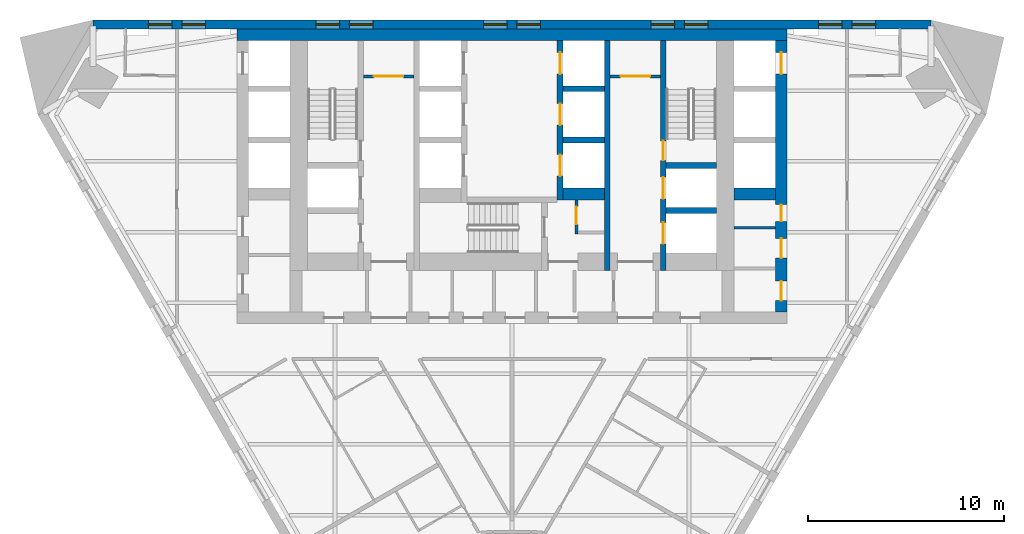
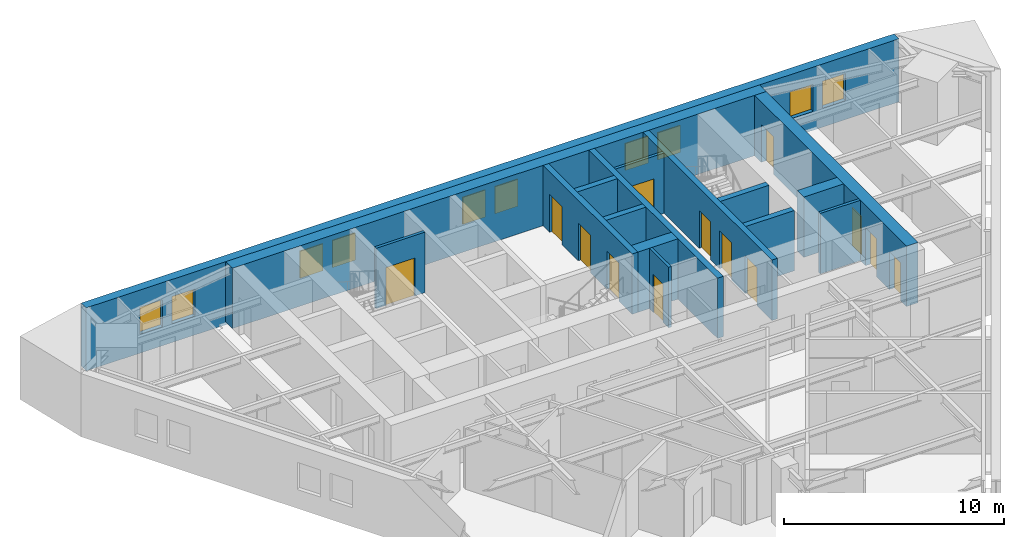
# One storey, part 6 of 9: 16 walls, 13 doors, 10 windows, 23 openings.
"""IFC4 building model written with IfcOpenShell, lengths in metres."""

from ifc_helpers import new_model, si_unit, direction, frame, frame_2d, origin, place, context, subcontext, project, spatial, polyline, rectangle, outline, extrude, material, layer, layer_set, type_object, element, fill, save


model = new_model("IFC4")

# Units and contexts
model_context = context("Model", 3, precision=1e-05, world=origin(), true_north=direction((0.0, 1.0)))
body_context = subcontext(model_context, "Body", "Model", "MODEL_VIEW")
ifc_project = project(units=[si_unit("LENGTHUNIT", "METRE"), si_unit("AREAUNIT", "SQUARE_METRE"), si_unit("VOLUMEUNIT", "CUBIC_METRE"), si_unit("PLANEANGLEUNIT", "RADIAN"), si_unit("MASSUNIT", "GRAM", prefix="KILO")], contexts=[model_context])

# Site, building, storey
site_placement = place(None, origin())
site = spatial("IfcSite", under=ifc_project, at=site_placement, CompositionType="ELEMENT")
building_placement = place(site_placement, origin())
building = spatial("IfcBuilding", under=site, at=building_placement, Name="Aloe Facet Convention Tower", CompositionType="ELEMENT")
storey_placement = place(building_placement, frame((0.0, 0.0, 106.300048828125)))
storey = spatial("IfcBuildingStorey", under=building, at=storey_placement, Name="L26", CompositionType="ELEMENT", Elevation=106.300048828125)

# Wall, opening, door
ifc_material_1 = material(Name="Concrete blockwork partition", Category="masonry")
ifc_layer_1 = layer(ifc_material_1, 0.14990234375)
ifc_layer_set_1 = layer_set([ifc_layer_1], Name="CR-W-PART150")
wall_type_1 = type_object("IfcWallType", Name="CR-W-PART150", PredefinedType="PARTITIONING", material=ifc_layer_set_1)
wall_1_placement = place(storey_placement, frame((72.449951171875, 132.125, 0.0), z_axis=(0.0, 0.0, 1.0), x_axis=(1.0, 0.0, 0.0)))
wall_1 = element("IfcWall", 1, at=wall_1_placement, inside=storey, type_object=wall_type_1, Name="Core partition L26-014", PredefinedType="PARTITIONING", context=body_context, shape_type="SweptSolid", body=[
    extrude(rectangle(XDim=2.550048828125, YDim=0.14990234375, at=frame_2d((1.27490234375, 0.0))), origin(), (0.0, 0.0, 1.0), 3.349853515625),
])
opening_1_placement = place(wall_1_placement, frame((0.52490234375, 0.0, 0.0)))
opening_1 = element("IfcOpeningElement", 2, at=opening_1_placement, cuts=wall_1, Name="Opening L26-CD22", PredefinedType="OPENING", context=body_context, shape_type="SweptSolid", body=[
    extrude(rectangle(XDim=1.5, YDim=2.10009765625, at=frame_2d((0.75, 1.050048828125))), frame((0.0, 0.0849609375, 0.0), z_axis=(0.0, -1.0, 0.0), x_axis=(1.0, 0.0, 0.0)), (0.0, 0.0, 1.0), 0.169921875),
])
ifc_material_2 = material(Name="Steel fire-resisting door set FD60", Category="steel")
door_type_1 = type_object("IfcDoorType", Name="CR-D-REFUGE-1500-FD60-DD", OperationType="DOUBLE_DOOR_DOUBLE_SWING", PredefinedType="DOOR", material=ifc_material_2)
door_1_placement = place(opening_1_placement, origin())
door_1 = element("IfcDoor", 3, at=door_1_placement, inside=storey, type_object=door_type_1, Name="Core door L26-CD22", OperationType="DOUBLE_DOOR_DOUBLE_SWING", OverallHeight=2.10009765625, OverallWidth=1.5, PredefinedType="DOOR", context=body_context, shape_type="SweptSolid", body=[
    extrude(rectangle(XDim=1.5, YDim=2.10009765625, at=frame_2d((0.75, 1.050048828125))), frame((0.0, 0.02490234375, 0.0), z_axis=(0.0, -1.0, 0.0), x_axis=(1.0, 0.0, 0.0)), (0.0, 0.0, 1.0), 0.050048828125),
])
fill(opening_1, door_1)

wall_2_placement = place(storey_placement, frame((83.27490234375, 125.85009765625, 0.0), z_axis=(0.0, 0.0, 1.0), x_axis=(0.0, -1.0, 0.0)))
wall_2 = element("IfcWall", 4, at=wall_2_placement, inside=storey, type_object=wall_type_1, Name="Core partition L26-035", PredefinedType="PARTITIONING", context=body_context, shape_type="SweptSolid", body=[
    extrude(rectangle(XDim=1.75, YDim=0.14990234375, at=frame_2d((0.875, 0.0))), origin(), (0.0, 0.0, 1.0), 3.349853515625),
])
opening_2_placement = place(wall_2_placement, frame((0.35009765625, 0.0, 0.0)))
opening_2 = element("IfcOpeningElement", 5, at=opening_2_placement, cuts=wall_2, Name="Opening L26-CD20", PredefinedType="OPENING", context=body_context, shape_type="SweptSolid", body=[
    extrude(rectangle(XDim=0.89990234375, YDim=2.10009765625, at=frame_2d((0.449951171875, 1.050048828125))), frame((0.0, 0.0849609375, 0.0), z_axis=(0.0, -1.0, 0.0), x_axis=(1.0, 0.0, 0.0)), (0.0, 0.0, 1.0), 0.169921875),
])
ifc_material_3 = material(Name="Steel fire-resisting door set FD60", Category="steel")
door_type_2 = type_object("IfcDoorType", Name="CR-D-REFUGE-900-FD60-SRIGHT", OperationType="SINGLE_SWING_RIGHT", PredefinedType="DOOR", material=ifc_material_3)
door_2_placement = place(opening_2_placement, origin())
door_2 = element("IfcDoor", 6, at=door_2_placement, inside=storey, type_object=door_type_2, Name="Core door L26-CD20", OperationType="SINGLE_SWING_RIGHT", OverallHeight=2.10009765625, OverallWidth=0.89990234375, PredefinedType="DOOR", context=body_context, shape_type="SweptSolid", body=[
    extrude(rectangle(XDim=0.89990234375, YDim=2.10009765625, at=frame_2d((0.449951171875, 1.050048828125))), frame((0.0, 0.02490234375, 0.0), z_axis=(0.0, -1.0, 0.0), x_axis=(1.0, 0.0, 0.0)), (0.0, 0.0, 1.0), 0.050048828125),
])
fill(opening_2, door_2)

wall_3_placement = place(storey_placement, frame((85.0, 132.125, 0.0), z_axis=(0.0, 0.0, 1.0), x_axis=(1.0, 0.0, 0.0)))
wall_3 = element("IfcWall", 7, at=wall_3_placement, inside=storey, type_object=wall_type_1, Name="Core partition L26-038", PredefinedType="PARTITIONING", context=body_context, shape_type="SweptSolid", body=[
    extrude(rectangle(XDim=2.550048828125, YDim=0.14990234375, at=frame_2d((1.27490234375, 0.0))), origin(), (0.0, 0.0, 1.0), 3.349853515625),
])
opening_3_placement = place(wall_3_placement, frame((0.52490234375, 0.0, 0.0)))
opening_3 = element("IfcOpeningElement", 8, at=opening_3_placement, cuts=wall_3, Name="Opening L26-CD21", PredefinedType="OPENING", context=body_context, shape_type="SweptSolid", body=[
    extrude(rectangle(XDim=1.5, YDim=2.10009765625, at=frame_2d((0.75, 1.050048828125))), frame((0.0, 0.0849609375, 0.0), z_axis=(0.0, -1.0, 0.0), x_axis=(1.0, 0.0, 0.0)), (0.0, 0.0, 1.0), 0.169921875),
])
door_3_placement = place(opening_3_placement, origin())
door_3 = element("IfcDoor", 9, at=door_3_placement, inside=storey, type_object=door_type_1, Name="Core door L26-CD21", OperationType="DOUBLE_DOOR_DOUBLE_SWING", OverallHeight=2.10009765625, OverallWidth=1.5, PredefinedType="DOOR", context=body_context, shape_type="SweptSolid", body=[
    extrude(rectangle(XDim=1.5, YDim=2.10009765625, at=frame_2d((0.75, 1.050048828125))), frame((0.0, 0.02490234375, 0.0), z_axis=(0.0, -1.0, 0.0), x_axis=(1.0, 0.0, 0.0)), (0.0, 0.0, 1.0), 0.050048828125),
])
fill(opening_3, door_3)

# Wall
wall_4_placement = place(storey_placement, frame((91.300048828125, 124.425048828125, 0.0), z_axis=(0.0, 0.0, 1.0), x_axis=(1.0, 0.0, 0.0)))
element("IfcWall", 10, at=wall_4_placement, inside=storey, type_object=wall_type_1, Name="Core partition L26-051", PredefinedType="PARTITIONING", context=body_context, shape_type="SweptSolid", body=[
    extrude(rectangle(XDim=2.099853515625, YDim=0.14990234375, at=frame_2d((1.0498046875, 0.0))), origin(), (0.0, 0.0, 1.0), 3.349853515625),
])

# Wall, openings, doors
ifc_material_4 = material(Name="Concrete C70/85", Category="concrete")
ifc_layer_2 = layer(ifc_material_4, 0.300048828125)
ifc_layer_set_2 = layer_set([ifc_layer_2], Name="CR-W-RC300-C7085")
wall_type_2 = type_object("IfcWallType", Name="CR-W-RC300-C7085", PredefinedType="SOLIDWALL", material=ifc_layer_set_2)
wall_5_placement = place(storey_placement, frame((82.449951171875, 133.949951171875, 0.0), z_axis=(0.0, 0.0, 1.0), x_axis=(0.0, -1.0, 0.0)))
wall_5 = element("IfcWall", 11, at=wall_5_placement, inside=storey, type_object=wall_type_2, Name="Core wall L26-030", PredefinedType="SOLIDWALL", context=body_context, shape_type="SweptSolid", body=[
    extrude(rectangle(XDim=8.099853515625, YDim=0.300048828125, at=frame_2d((4.0498046875, 0.0))), origin(), (0.0, 0.0, 1.0), 3.349853515625),
])
opening_4_placement = place(wall_5_placement, frame((0.60009765625, 0.0, 0.0)))
opening_4 = element("IfcOpeningElement", 12, at=opening_4_placement, cuts=wall_5, Name="Opening LD-A4-L26", PredefinedType="OPENING", context=body_context, shape_type="SweptSolid", body=[
    extrude(rectangle(XDim=1.10009765625, YDim=2.10009765625, at=frame_2d((0.550048828125, 1.050048828125))), frame((0.0, 0.16015625, 0.0), z_axis=(0.0, -1.0, 0.0), x_axis=(1.0, 0.0, 0.0)), (0.0, 0.0, 1.0), 0.320068359375),
])
opening_5_placement = place(wall_5_placement, frame((3.199951171875, 0.0, 0.0)))
opening_5 = element("IfcOpeningElement", 13, at=opening_5_placement, cuts=wall_5, Name="Opening LD-A5-L26", PredefinedType="OPENING", context=body_context, shape_type="SweptSolid", body=[
    extrude(rectangle(XDim=1.10009765625, YDim=2.10009765625, at=frame_2d((0.550048828125, 1.050048828125))), frame((0.0, 0.16015625, 0.0), z_axis=(0.0, -1.0, 0.0), x_axis=(1.0, 0.0, 0.0)), (0.0, 0.0, 1.0), 0.320068359375),
])
opening_6_placement = place(wall_5_placement, frame((5.800048828125, 0.0, 0.0)))
opening_6 = element("IfcOpeningElement", 14, at=opening_6_placement, cuts=wall_5, Name="Opening LD-A6-L26", PredefinedType="OPENING", context=body_context, shape_type="SweptSolid", body=[
    extrude(rectangle(XDim=1.10009765625, YDim=2.10009765625, at=frame_2d((0.550048828125, 1.050048828125))), frame((0.0, 0.16015625, 0.0), z_axis=(0.0, -1.0, 0.0), x_axis=(1.0, 0.0, 0.0)), (0.0, 0.0, 1.0), 0.320068359375),
])
ifc_material_5 = material(Name="Stainless steel sliding landing door", Category="steel")
door_type_3 = type_object("IfcDoorType", Name="CR-LD-1100-FD60-_LEFT", OperationType="SLIDING_TO_LEFT", PredefinedType="DOOR", material=ifc_material_5)
door_4_placement = place(opening_4_placement, origin())
door_4 = element("IfcDoor", 15, at=door_4_placement, inside=storey, type_object=door_type_3, Name="Landing door A4 L26", OperationType="SLIDING_TO_LEFT", OverallHeight=2.10009765625, OverallWidth=1.10009765625, PredefinedType="DOOR", context=body_context, shape_type="SweptSolid", body=[
    extrude(rectangle(XDim=1.10009765625, YDim=2.10009765625, at=frame_2d((0.550048828125, 1.050048828125))), frame((0.0, 0.02490234375, 0.0), z_axis=(0.0, -1.0, 0.0), x_axis=(1.0, 0.0, 0.0)), (0.0, 0.0, 1.0), 0.050048828125),
])
fill(opening_4, door_4)
door_5_placement = place(opening_5_placement, origin())
door_5 = element("IfcDoor", 16, at=door_5_placement, inside=storey, type_object=door_type_3, Name="Landing door A5 L26", OperationType="SLIDING_TO_LEFT", OverallHeight=2.10009765625, OverallWidth=1.10009765625, PredefinedType="DOOR", context=body_context, shape_type="SweptSolid", body=[
    extrude(rectangle(XDim=1.10009765625, YDim=2.10009765625, at=frame_2d((0.550048828125, 1.050048828125))), frame((0.0, 0.02490234375, 0.0), z_axis=(0.0, -1.0, 0.0), x_axis=(1.0, 0.0, 0.0)), (0.0, 0.0, 1.0), 0.050048828125),
])
fill(opening_5, door_5)
door_6_placement = place(opening_6_placement, origin())
door_6 = element("IfcDoor", 17, at=door_6_placement, inside=storey, type_object=door_type_3, Name="Landing door A6 L26", OperationType="SLIDING_TO_LEFT", OverallHeight=2.10009765625, OverallWidth=1.10009765625, PredefinedType="DOOR", context=body_context, shape_type="SweptSolid", body=[
    extrude(rectangle(XDim=1.10009765625, YDim=2.10009765625, at=frame_2d((0.550048828125, 1.050048828125))), frame((0.0, 0.02490234375, 0.0), z_axis=(0.0, -1.0, 0.0), x_axis=(1.0, 0.0, 0.0)), (0.0, 0.0, 1.0), 0.050048828125),
])
fill(opening_6, door_6)

# Walls
for number, where, z_axis, x_axis, name in (
    (18, (82.60009765625, 131.5, 0.0), (0.0, 0.0, 1.0), (1.0, 0.0, 0.0), "Core wall L26-031"),
    (19, (82.60009765625, 128.89990234375, 0.0), (0.0, 0.0, 1.0), (1.0, 0.0, 0.0), "Core wall L26-032"),
):
    element("IfcWall", number, at=place(storey_placement, frame(where, z_axis=z_axis, x_axis=x_axis)), inside=storey, type_object=wall_type_2, Name=name, PredefinedType="SOLIDWALL", context=body_context, shape_type="SweptSolid", body=[
        extrude(rectangle(XDim=2.099853515625, YDim=0.300048828125, at=frame_2d((1.0498046875, 0.0))), origin(), (0.0, 0.0, 1.0), 3.349853515625),
    ])
wall_6_placement = place(storey_placement, frame((84.85009765625, 133.949951171875, 0.0), z_axis=(0.0, 0.0, 1.0), x_axis=(0.0, -1.0, 0.0)))
element("IfcWall", 20, at=wall_6_placement, inside=storey, type_object=wall_type_2, Name="Core wall L26-037", PredefinedType="SOLIDWALL", context=body_context, shape_type="SweptSolid", body=[
    extrude(rectangle(XDim=11.699951171875, YDim=0.300048828125, at=frame_2d((5.85009765625, 0.0))), origin(), (0.0, 0.0, 1.0), 3.349853515625),
])

# Wall, openings, doors
wall_7_placement = place(storey_placement, frame((87.699951171875, 133.949951171875, 0.0), z_axis=(0.0, 0.0, 1.0), x_axis=(0.0, -1.0, 0.0)))
wall_7 = element("IfcWall", 21, at=wall_7_placement, inside=storey, type_object=wall_type_2, Name="Core wall L26-042", PredefinedType="SOLIDWALL", context=body_context, shape_type="SweptSolid", body=[
    extrude(rectangle(XDim=11.699951171875, YDim=0.300048828125, at=frame_2d((5.85009765625, 0.0))), origin(), (0.0, 0.0, 1.0), 3.349853515625),
])
opening_7_placement = place(wall_7_placement, frame((6.949951171875, 0.0, 0.0)))
opening_7 = element("IfcOpeningElement", 22, at=opening_7_placement, cuts=wall_7, Name="Opening LD-FF2-L26", PredefinedType="OPENING", context=body_context, shape_type="SweptSolid", body=[
    extrude(rectangle(XDim=1.10009765625, YDim=2.10009765625, at=frame_2d((0.550048828125, 1.050048828125))), frame((0.0, 0.16015625, 0.0), z_axis=(0.0, -1.0, 0.0), x_axis=(1.0, 0.0, 0.0)), (0.0, 0.0, 1.0), 0.320068359375),
])
opening_8_placement = place(wall_7_placement, frame((5.10009765625, 0.0, 0.0)))
opening_8 = element("IfcOpeningElement", 23, at=opening_8_placement, cuts=wall_7, Name="Opening L26-CD31", PredefinedType="OPENING", context=body_context, shape_type="SweptSolid", body=[
    extrude(rectangle(XDim=1.0, YDim=2.10009765625, at=frame_2d((0.5, 1.050048828125))), frame((0.0, 0.16015625, 0.0), z_axis=(0.0, -1.0, 0.0), x_axis=(1.0, 0.0, 0.0)), (0.0, 0.0, 1.0), 0.320068359375),
])
opening_9_placement = place(wall_7_placement, frame((9.25, 0.0, 0.0)))
opening_9 = element("IfcOpeningElement", 24, at=opening_9_placement, cuts=wall_7, Name="Opening LD-SV1-L26", PredefinedType="OPENING", context=body_context, shape_type="SweptSolid", body=[
    extrude(rectangle(XDim=1.10009765625, YDim=2.10009765625, at=frame_2d((0.550048828125, 1.050048828125))), frame((0.0, 0.16015625, 0.0), z_axis=(0.0, -1.0, 0.0), x_axis=(1.0, 0.0, 0.0)), (0.0, 0.0, 1.0), 0.320068359375),
])
ifc_material_6 = material(Name="Steel fire-resisting door set FD120", Category="steel")
door_type_4 = type_object("IfcDoorType", Name="CR-D-STAIR-1000-FD120-SLEFT", OperationType="SINGLE_SWING_LEFT", PredefinedType="DOOR", material=ifc_material_6)
door_7_placement = place(opening_8_placement, origin())
door_7 = element("IfcDoor", 25, at=door_7_placement, inside=storey, type_object=door_type_4, Name="Core door L26-CD31", OperationType="SINGLE_SWING_LEFT", OverallHeight=2.10009765625, OverallWidth=1.0, PredefinedType="DOOR", context=body_context, shape_type="SweptSolid", body=[
    extrude(rectangle(XDim=1.0, YDim=2.10009765625, at=frame_2d((0.5, 1.050048828125))), frame((0.0, 0.02490234375, 0.0), z_axis=(0.0, -1.0, 0.0), x_axis=(1.0, 0.0, 0.0)), (0.0, 0.0, 1.0), 0.050048828125),
])
fill(opening_8, door_7)
ifc_material_7 = material(Name="Stainless steel sliding landing door", Category="steel")
door_type_5 = type_object("IfcDoorType", Name="CR-LD-1100-FD120-_LEFT", OperationType="SLIDING_TO_LEFT", PredefinedType="DOOR", material=ifc_material_7)
door_8_placement = place(opening_7_placement, origin())
door_8 = element("IfcDoor", 26, at=door_8_placement, inside=storey, type_object=door_type_5, Name="Landing door FF2 L26", OperationType="SLIDING_TO_LEFT", OverallHeight=2.10009765625, OverallWidth=1.10009765625, PredefinedType="DOOR", context=body_context, shape_type="SweptSolid", body=[
    extrude(rectangle(XDim=1.10009765625, YDim=2.10009765625, at=frame_2d((0.550048828125, 1.050048828125))), frame((0.0, 0.02490234375, 0.0), z_axis=(0.0, -1.0, 0.0), x_axis=(1.0, 0.0, 0.0)), (0.0, 0.0, 1.0), 0.050048828125),
])
fill(opening_7, door_8)
door_9_placement = place(opening_9_placement, origin())
door_9 = element("IfcDoor", 27, at=door_9_placement, inside=storey, type_object=door_type_5, Name="Landing door SV1 L26", OperationType="SLIDING_TO_LEFT", OverallHeight=2.10009765625, OverallWidth=1.10009765625, PredefinedType="DOOR", context=body_context, shape_type="SweptSolid", body=[
    extrude(rectangle(XDim=1.10009765625, YDim=2.10009765625, at=frame_2d((0.550048828125, 1.050048828125))), frame((0.0, 0.02490234375, 0.0), z_axis=(0.0, -1.0, 0.0), x_axis=(1.0, 0.0, 0.0)), (0.0, 0.0, 1.0), 0.050048828125),
])
fill(opening_9, door_9)

# Walls
for number, where, z_axis, x_axis, name in (
    (28, (87.85009765625, 127.60009765625, 0.0), (0.0, 0.0, 1.0), (1.0, 0.0, 0.0), "Core wall L26-043"),
    (29, (87.85009765625, 125.300048828125, 0.0), (0.0, 0.0, 1.0), (1.0, 0.0, 0.0), "Core wall L26-044"),
):
    element("IfcWall", number, at=place(storey_placement, frame(where, z_axis=z_axis, x_axis=x_axis)), inside=storey, type_object=wall_type_2, Name=name, PredefinedType="SOLIDWALL", context=body_context, shape_type="SweptSolid", body=[
        extrude(rectangle(XDim=2.5498046875, YDim=0.300048828125, at=frame_2d((1.27490234375, 0.0))), origin(), (0.0, 0.0, 1.0), 3.349853515625),
    ])
ifc_material_8 = material(Name="Concrete C70/85", Category="concrete")
ifc_layer_3 = layer(ifc_material_8, 0.60009765625)
ifc_layer_set_3 = layer_set([ifc_layer_3], Name="CR-W-RC600-C7085")
wall_type_3 = type_object("IfcWallType", Name="CR-W-RC600-C7085", PredefinedType="SOLIDWALL", material=ifc_layer_set_3)
wall_8_placement = place(storey_placement, frame((66.0, 134.25, 0.0), z_axis=(0.0, 0.0, 1.0), x_axis=(1.0, 0.0, 0.0)))
element("IfcWall", 30, at=wall_8_placement, inside=storey, type_object=wall_type_3, Name="Core wall L26-001", PredefinedType="SOLIDWALL", context=body_context, shape_type="SweptSolid", body=[
    extrude(rectangle(XDim=28.0, YDim=0.60009765625, at=frame_2d((14.0, 0.0))), origin(), (0.0, 0.0, 1.0), 3.349853515625),
])
for number, where, z_axis, x_axis, name in (
    (31, (82.60009765625, 126.14990234375, 0.0), (0.0, 0.0, 1.0), (1.0, 0.0, 0.0), "Core wall L26-033"),
    (32, (91.300048828125, 126.14990234375, 0.0), (0.0, 0.0, 1.0), (1.0, 0.0, 0.0), "Core wall L26-050"),
):
    element("IfcWall", number, at=place(storey_placement, frame(where, z_axis=z_axis, x_axis=x_axis)), inside=storey, type_object=wall_type_3, Name=name, PredefinedType="SOLIDWALL", context=body_context, shape_type="SweptSolid", body=[
        extrude(rectangle(XDim=2.099853515625, YDim=0.60009765625, at=frame_2d((1.0498046875, 0.0))), origin(), (0.0, 0.0, 1.0), 3.349853515625),
    ])

# Wall, openings, doors
wall_9_placement = place(storey_placement, frame((93.699951171875, 133.949951171875, 0.0), z_axis=(0.0, 0.0, 1.0), x_axis=(0.0, -1.0, 0.0)))
wall_9 = element("IfcWall", 33, at=wall_9_placement, inside=storey, type_object=wall_type_3, Name="Core wall L26-053", PredefinedType="SOLIDWALL", context=body_context, shape_type="SweptSolid", body=[
    extrude(rectangle(XDim=13.800048828125, YDim=0.60009765625, at=frame_2d((6.89990234375, 0.0))), origin(), (0.0, 0.0, 1.0), 3.349853515625),
])
opening_10_placement = place(wall_9_placement, frame((0.60009765625, 0.0, 0.0)))
opening_10 = element("IfcOpeningElement", 34, at=opening_10_placement, cuts=wall_9, Name="Opening LD-A8-L26", PredefinedType="OPENING", context=body_context, shape_type="SweptSolid", body=[
    extrude(rectangle(XDim=1.10009765625, YDim=2.10009765625, at=frame_2d((0.550048828125, 1.050048828125))), frame((0.0, 0.31005859375, 0.0), z_axis=(0.0, -1.0, 0.0), x_axis=(1.0, 0.0, 0.0)), (0.0, 0.0, 1.0), 0.6201171875),
])
opening_11_placement = place(wall_9_placement, frame((10.064208984375, 0.0, 0.0)))
opening_11 = element("IfcOpeningElement", 35, at=opening_11_placement, cuts=wall_9, Name="Opening L26-CD09", PredefinedType="OPENING", context=body_context, shape_type="SweptSolid", body=[
    extrude(rectangle(XDim=1.0, YDim=2.10009765625, at=frame_2d((0.5, 1.050048828125))), frame((0.0, 0.31005859375, 0.0), z_axis=(0.0, -1.0, 0.0), x_axis=(1.0, 0.0, 0.0)), (0.0, 0.0, 1.0), 0.6201171875),
])
opening_12_placement = place(wall_9_placement, frame((8.35009765625, 0.0, 0.0)))
opening_12 = element("IfcOpeningElement", 36, at=opening_12_placement, cuts=wall_9, Name="Opening L26-CD10", PredefinedType="OPENING", context=body_context, shape_type="SweptSolid", body=[
    extrude(rectangle(XDim=0.85009765625, YDim=2.10009765625, at=frame_2d((0.425048828125, 1.050048828125))), frame((0.0, 0.31005859375, 0.0), z_axis=(0.0, -1.0, 0.0), x_axis=(1.0, 0.0, 0.0)), (0.0, 0.0, 1.0), 0.6201171875),
])
opening_13_placement = place(wall_9_placement, frame((12.2392578125, 0.0, 0.0)))
opening_13 = element("IfcOpeningElement", 37, at=opening_13_placement, cuts=wall_9, Name="Opening L26-CD11", PredefinedType="OPENING", context=body_context, shape_type="SweptSolid", body=[
    extrude(rectangle(XDim=1.0, YDim=2.10009765625, at=frame_2d((0.5, 1.050048828125))), frame((0.0, 0.31005859375, 0.0), z_axis=(0.0, -1.0, 0.0), x_axis=(1.0, 0.0, 0.0)), (0.0, 0.0, 1.0), 0.6201171875),
])
ifc_material_9 = material(Name="Steel fire-resisting door set FD60", Category="steel")
door_type_6 = type_object("IfcDoorType", Name="CR-D-ROOM-1000-FD60-SLEFT", OperationType="SINGLE_SWING_LEFT", PredefinedType="DOOR", material=ifc_material_9)
door_10_placement = place(opening_11_placement, origin())
door_10 = element("IfcDoor", 38, at=door_10_placement, inside=storey, type_object=door_type_6, Name="Core door L26-CD09", OperationType="SINGLE_SWING_LEFT", OverallHeight=2.10009765625, OverallWidth=1.0, PredefinedType="DOOR", context=body_context, shape_type="SweptSolid", body=[
    extrude(rectangle(XDim=1.0, YDim=2.10009765625, at=frame_2d((0.5, 1.050048828125))), frame((0.0, 0.02490234375, 0.0), z_axis=(0.0, -1.0, 0.0), x_axis=(1.0, 0.0, 0.0)), (0.0, 0.0, 1.0), 0.050048828125),
])
fill(opening_11, door_10)
door_11_placement = place(opening_13_placement, origin())
door_11 = element("IfcDoor", 39, at=door_11_placement, inside=storey, type_object=door_type_6, Name="Core door L26-CD11", OperationType="SINGLE_SWING_LEFT", OverallHeight=2.10009765625, OverallWidth=1.0, PredefinedType="DOOR", context=body_context, shape_type="SweptSolid", body=[
    extrude(rectangle(XDim=1.0, YDim=2.10009765625, at=frame_2d((0.5, 1.050048828125))), frame((0.0, 0.02490234375, 0.0), z_axis=(0.0, -1.0, 0.0), x_axis=(1.0, 0.0, 0.0)), (0.0, 0.0, 1.0), 0.050048828125),
])
fill(opening_13, door_11)
ifc_material_10 = material(Name="Steel fire-resisting door set FD60", Category="steel")
door_type_7 = type_object("IfcDoorType", Name="CR-D-ROOM-850-FD60-SLEFT", OperationType="SINGLE_SWING_LEFT", PredefinedType="DOOR", material=ifc_material_10)
door_12_placement = place(opening_12_placement, origin())
door_12 = element("IfcDoor", 40, at=door_12_placement, inside=storey, type_object=door_type_7, Name="Core door L26-CD10", OperationType="SINGLE_SWING_LEFT", OverallHeight=2.10009765625, OverallWidth=0.85009765625, PredefinedType="DOOR", context=body_context, shape_type="SweptSolid", body=[
    extrude(rectangle(XDim=0.85009765625, YDim=2.10009765625, at=frame_2d((0.425048828125, 1.050048828125))), frame((0.0, 0.02490234375, 0.0), z_axis=(0.0, -1.0, 0.0), x_axis=(1.0, 0.0, 0.0)), (0.0, 0.0, 1.0), 0.050048828125),
])
fill(opening_12, door_12)
door_13_placement = place(opening_10_placement, origin())
door_13 = element("IfcDoor", 41, at=door_13_placement, inside=storey, type_object=door_type_3, Name="Landing door A8 L26", OperationType="SLIDING_TO_LEFT", OverallHeight=2.10009765625, OverallWidth=1.10009765625, PredefinedType="DOOR", context=body_context, shape_type="SweptSolid", body=[
    extrude(rectangle(XDim=1.10009765625, YDim=2.10009765625, at=frame_2d((0.550048828125, 1.050048828125))), frame((0.0, 0.02490234375, 0.0), z_axis=(0.0, -1.0, 0.0), x_axis=(1.0, 0.0, 0.0)), (0.0, 0.0, 1.0), 0.050048828125),
])
fill(opening_10, door_13)

# Wall, openings, windows
ifc_material_11 = material(Name="Precast concrete C40/50", Category="concrete")
ifc_layer_4 = layer(ifc_material_11, 0.449951171875)
ifc_layer_set_4 = layer_set([ifc_layer_4], Name="EV-WALL-STONE")
wall_type_4 = type_object("IfcWallType", Name="EV-WALL-STONE", PredefinedType="SOLIDWALL", material=ifc_layer_set_4)
wall_10_placement = place(storey_placement, frame((101.321533203125, 134.77490234375, -0.150146484375), z_axis=(0.0, 0.0, 1.0), x_axis=(-1.0, 0.0, 0.0)))
wall_10 = element("IfcWall", 42, at=wall_10_placement, inside=storey, type_object=wall_type_4, Name="EW-L26-N01", PredefinedType="SOLIDWALL", context=body_context, shape_type="SweptSolid", body=[
    extrude(outline(polyline([(42.64306640625, 0.0), (42.64306640625, 3.5), (0.0, 3.5), (0.0, 0.0), (42.64306640625, 0.0)])), frame((0.0, 0.22509765625, 0.0), z_axis=(0.0, -1.0, 0.0), x_axis=(1.0, 0.0, 0.0)), (0.0, 0.0, 1.0), 0.449951171875),
])
opening_14_placement = place(wall_10_placement, frame((2.814208984375, 0.0, 1.050048828125)))
opening_14 = element("IfcOpeningElement", 43, at=opening_14_placement, cuts=wall_10, Name="Opening W-L26-N01", PredefinedType="OPENING", context=body_context, shape_type="SweptSolid", body=[
    extrude(rectangle(XDim=1.199951171875, YDim=1.5, at=frame_2d((0.60009765625, 0.75))), frame((0.0, 0.23486328125, 0.0), z_axis=(0.0, -1.0, 0.0), x_axis=(1.0, 0.0, 0.0)), (0.0, 0.0, 1.0), 0.469970703125),
])
opening_15_placement = place(wall_10_placement, frame((4.514404296875, 0.0, 1.050048828125)))
opening_15 = element("IfcOpeningElement", 44, at=opening_15_placement, cuts=wall_10, Name="Opening W-L26-N02", PredefinedType="OPENING", context=body_context, shape_type="SweptSolid", body=[
    extrude(rectangle(XDim=1.199951171875, YDim=1.5, at=frame_2d((0.60009765625, 0.75))), frame((0.0, 0.23486328125, 0.0), z_axis=(0.0, -1.0, 0.0), x_axis=(1.0, 0.0, 0.0)), (0.0, 0.0, 1.0), 0.469970703125),
])
opening_16_placement = place(wall_10_placement, frame((11.343017578125, 0.0, 1.050048828125)))
opening_16 = element("IfcOpeningElement", 45, at=opening_16_placement, cuts=wall_10, Name="Opening W-L26-N03", PredefinedType="OPENING", context=body_context, shape_type="SweptSolid", body=[
    extrude(rectangle(XDim=1.199951171875, YDim=1.5, at=frame_2d((0.60009765625, 0.75))), frame((0.0, 0.23486328125, 0.0), z_axis=(0.0, -1.0, 0.0), x_axis=(1.0, 0.0, 0.0)), (0.0, 0.0, 1.0), 0.469970703125),
])
opening_17_placement = place(wall_10_placement, frame((13.04296875, 0.0, 1.050048828125)))
opening_17 = element("IfcOpeningElement", 46, at=opening_17_placement, cuts=wall_10, Name="Opening W-L26-N04", PredefinedType="OPENING", context=body_context, shape_type="SweptSolid", body=[
    extrude(rectangle(XDim=1.199951171875, YDim=1.5, at=frame_2d((0.60009765625, 0.75))), frame((0.0, 0.23486328125, 0.0), z_axis=(0.0, -1.0, 0.0), x_axis=(1.0, 0.0, 0.0)), (0.0, 0.0, 1.0), 0.469970703125),
])
opening_18_placement = place(wall_10_placement, frame((19.87158203125, 0.0, 1.050048828125)))
opening_18 = element("IfcOpeningElement", 47, at=opening_18_placement, cuts=wall_10, Name="Opening W-L26-N05", PredefinedType="OPENING", context=body_context, shape_type="SweptSolid", body=[
    extrude(rectangle(XDim=1.199951171875, YDim=1.5, at=frame_2d((0.60009765625, 0.75))), frame((0.0, 0.23486328125, 0.0), z_axis=(0.0, -1.0, 0.0), x_axis=(1.0, 0.0, 0.0)), (0.0, 0.0, 1.0), 0.469970703125),
])
opening_19_placement = place(wall_10_placement, frame((21.571533203125, 0.0, 1.050048828125)))
opening_19 = element("IfcOpeningElement", 48, at=opening_19_placement, cuts=wall_10, Name="Opening W-L26-N06", PredefinedType="OPENING", context=body_context, shape_type="SweptSolid", body=[
    extrude(rectangle(XDim=1.199951171875, YDim=1.5, at=frame_2d((0.60009765625, 0.75))), frame((0.0, 0.23486328125, 0.0), z_axis=(0.0, -1.0, 0.0), x_axis=(1.0, 0.0, 0.0)), (0.0, 0.0, 1.0), 0.469970703125),
])
opening_20_placement = place(wall_10_placement, frame((28.400146484375, 0.0, 1.050048828125)))
opening_20 = element("IfcOpeningElement", 49, at=opening_20_placement, cuts=wall_10, Name="Opening W-L26-N07", PredefinedType="OPENING", context=body_context, shape_type="SweptSolid", body=[
    extrude(rectangle(XDim=1.199951171875, YDim=1.5, at=frame_2d((0.60009765625, 0.75))), frame((0.0, 0.23486328125, 0.0), z_axis=(0.0, -1.0, 0.0), x_axis=(1.0, 0.0, 0.0)), (0.0, 0.0, 1.0), 0.469970703125),
])
opening_21_placement = place(wall_10_placement, frame((30.10009765625, 0.0, 1.050048828125)))
opening_21 = element("IfcOpeningElement", 50, at=opening_21_placement, cuts=wall_10, Name="Opening W-L26-N08", PredefinedType="OPENING", context=body_context, shape_type="SweptSolid", body=[
    extrude(rectangle(XDim=1.199951171875, YDim=1.5, at=frame_2d((0.60009765625, 0.75))), frame((0.0, 0.23486328125, 0.0), z_axis=(0.0, -1.0, 0.0), x_axis=(1.0, 0.0, 0.0)), (0.0, 0.0, 1.0), 0.469970703125),
])
opening_22_placement = place(wall_10_placement, frame((36.9287109375, 0.0, 1.050048828125)))
opening_22 = element("IfcOpeningElement", 51, at=opening_22_placement, cuts=wall_10, Name="Opening W-L26-N09", PredefinedType="OPENING", context=body_context, shape_type="SweptSolid", body=[
    extrude(rectangle(XDim=1.199951171875, YDim=1.5, at=frame_2d((0.60009765625, 0.75))), frame((0.0, 0.23486328125, 0.0), z_axis=(0.0, -1.0, 0.0), x_axis=(1.0, 0.0, 0.0)), (0.0, 0.0, 1.0), 0.469970703125),
])
opening_23_placement = place(wall_10_placement, frame((38.628662109375, 0.0, 1.050048828125)))
opening_23 = element("IfcOpeningElement", 52, at=opening_23_placement, cuts=wall_10, Name="Opening W-L26-N10", PredefinedType="OPENING", context=body_context, shape_type="SweptSolid", body=[
    extrude(rectangle(XDim=1.199951171875, YDim=1.5, at=frame_2d((0.60009765625, 0.75))), frame((0.0, 0.23486328125, 0.0), z_axis=(0.0, -1.0, 0.0), x_axis=(1.0, 0.0, 0.0)), (0.0, 0.0, 1.0), 0.469970703125),
])
ifc_material_12 = material(Name="Aluminium frame, clear double glazing", Category="aluminium")
window_type = type_object("IfcWindowType", Name="EV-WIN-H12", PartitioningType="SINGLE_PANEL", PredefinedType="WINDOW", material=ifc_material_12)
window_1_placement = place(opening_14_placement, origin())
window_1 = element("IfcWindow", 53, at=window_1_placement, inside=storey, type_object=window_type, Name="W-L26-N01", OverallHeight=1.5, OverallWidth=1.199951171875, PartitioningType="SINGLE_PANEL", PredefinedType="WINDOW", context=body_context, shape_type="SweptSolid", body=[
    extrude(rectangle(XDim=1.199951171875, YDim=1.5, at=frame_2d((0.60009765625, 0.75))), frame((0.0, 0.030029296875, 0.0), z_axis=(0.0, -1.0, 0.0), x_axis=(1.0, 0.0, 0.0)), (0.0, 0.0, 1.0), 0.06005859375),
])
fill(opening_14, window_1)
window_2_placement = place(opening_15_placement, origin())
window_2 = element("IfcWindow", 54, at=window_2_placement, inside=storey, type_object=window_type, Name="W-L26-N02", OverallHeight=1.5, OverallWidth=1.199951171875, PartitioningType="SINGLE_PANEL", PredefinedType="WINDOW", context=body_context, shape_type="SweptSolid", body=[
    extrude(rectangle(XDim=1.199951171875, YDim=1.5, at=frame_2d((0.60009765625, 0.75))), frame((0.0, 0.030029296875, 0.0), z_axis=(0.0, -1.0, 0.0), x_axis=(1.0, 0.0, 0.0)), (0.0, 0.0, 1.0), 0.06005859375),
])
fill(opening_15, window_2)
window_3_placement = place(opening_16_placement, origin())
window_3 = element("IfcWindow", 55, at=window_3_placement, inside=storey, type_object=window_type, Name="W-L26-N03", OverallHeight=1.5, OverallWidth=1.199951171875, PartitioningType="SINGLE_PANEL", PredefinedType="WINDOW", context=body_context, shape_type="SweptSolid", body=[
    extrude(rectangle(XDim=1.199951171875, YDim=1.5, at=frame_2d((0.60009765625, 0.75))), frame((0.0, 0.030029296875, 0.0), z_axis=(0.0, -1.0, 0.0), x_axis=(1.0, 0.0, 0.0)), (0.0, 0.0, 1.0), 0.06005859375),
])
fill(opening_16, window_3)
window_4_placement = place(opening_17_placement, origin())
window_4 = element("IfcWindow", 56, at=window_4_placement, inside=storey, type_object=window_type, Name="W-L26-N04", OverallHeight=1.5, OverallWidth=1.199951171875, PartitioningType="SINGLE_PANEL", PredefinedType="WINDOW", context=body_context, shape_type="SweptSolid", body=[
    extrude(rectangle(XDim=1.199951171875, YDim=1.5, at=frame_2d((0.60009765625, 0.75))), frame((0.0, 0.030029296875, 0.0), z_axis=(0.0, -1.0, 0.0), x_axis=(1.0, 0.0, 0.0)), (0.0, 0.0, 1.0), 0.06005859375),
])
fill(opening_17, window_4)
window_5_placement = place(opening_18_placement, origin())
window_5 = element("IfcWindow", 57, at=window_5_placement, inside=storey, type_object=window_type, Name="W-L26-N05", OverallHeight=1.5, OverallWidth=1.199951171875, PartitioningType="SINGLE_PANEL", PredefinedType="WINDOW", context=body_context, shape_type="SweptSolid", body=[
    extrude(rectangle(XDim=1.199951171875, YDim=1.5, at=frame_2d((0.60009765625, 0.75))), frame((0.0, 0.030029296875, 0.0), z_axis=(0.0, -1.0, 0.0), x_axis=(1.0, 0.0, 0.0)), (0.0, 0.0, 1.0), 0.06005859375),
])
fill(opening_18, window_5)
window_6_placement = place(opening_19_placement, origin())
window_6 = element("IfcWindow", 58, at=window_6_placement, inside=storey, type_object=window_type, Name="W-L26-N06", OverallHeight=1.5, OverallWidth=1.199951171875, PartitioningType="SINGLE_PANEL", PredefinedType="WINDOW", context=body_context, shape_type="SweptSolid", body=[
    extrude(rectangle(XDim=1.199951171875, YDim=1.5, at=frame_2d((0.60009765625, 0.75))), frame((0.0, 0.030029296875, 0.0), z_axis=(0.0, -1.0, 0.0), x_axis=(1.0, 0.0, 0.0)), (0.0, 0.0, 1.0), 0.06005859375),
])
fill(opening_19, window_6)
window_7_placement = place(opening_20_placement, origin())
window_7 = element("IfcWindow", 59, at=window_7_placement, inside=storey, type_object=window_type, Name="W-L26-N07", OverallHeight=1.5, OverallWidth=1.199951171875, PartitioningType="SINGLE_PANEL", PredefinedType="WINDOW", context=body_context, shape_type="SweptSolid", body=[
    extrude(rectangle(XDim=1.199951171875, YDim=1.5, at=frame_2d((0.60009765625, 0.75))), frame((0.0, 0.030029296875, 0.0), z_axis=(0.0, -1.0, 0.0), x_axis=(1.0, 0.0, 0.0)), (0.0, 0.0, 1.0), 0.06005859375),
])
fill(opening_20, window_7)
window_8_placement = place(opening_21_placement, origin())
window_8 = element("IfcWindow", 60, at=window_8_placement, inside=storey, type_object=window_type, Name="W-L26-N08", OverallHeight=1.5, OverallWidth=1.199951171875, PartitioningType="SINGLE_PANEL", PredefinedType="WINDOW", context=body_context, shape_type="SweptSolid", body=[
    extrude(rectangle(XDim=1.199951171875, YDim=1.5, at=frame_2d((0.60009765625, 0.75))), frame((0.0, 0.030029296875, 0.0), z_axis=(0.0, -1.0, 0.0), x_axis=(1.0, 0.0, 0.0)), (0.0, 0.0, 1.0), 0.06005859375),
])
fill(opening_21, window_8)
window_9_placement = place(opening_22_placement, origin())
window_9 = element("IfcWindow", 61, at=window_9_placement, inside=storey, type_object=window_type, Name="W-L26-N09", OverallHeight=1.5, OverallWidth=1.199951171875, PartitioningType="SINGLE_PANEL", PredefinedType="WINDOW", context=body_context, shape_type="SweptSolid", body=[
    extrude(rectangle(XDim=1.199951171875, YDim=1.5, at=frame_2d((0.60009765625, 0.75))), frame((0.0, 0.030029296875, 0.0), z_axis=(0.0, -1.0, 0.0), x_axis=(1.0, 0.0, 0.0)), (0.0, 0.0, 1.0), 0.06005859375),
])
fill(opening_22, window_9)
window_10_placement = place(opening_23_placement, origin())
window_10 = element("IfcWindow", 62, at=window_10_placement, inside=storey, type_object=window_type, Name="W-L26-N10", OverallHeight=1.5, OverallWidth=1.199951171875, PartitioningType="SINGLE_PANEL", PredefinedType="WINDOW", context=body_context, shape_type="SweptSolid", body=[
    extrude(rectangle(XDim=1.199951171875, YDim=1.5, at=frame_2d((0.60009765625, 0.75))), frame((0.0, 0.030029296875, 0.0), z_axis=(0.0, -1.0, 0.0), x_axis=(1.0, 0.0, 0.0)), (0.0, 0.0, 1.0), 0.06005859375),
])
fill(opening_23, window_10)

save(model, "model.ifc")
